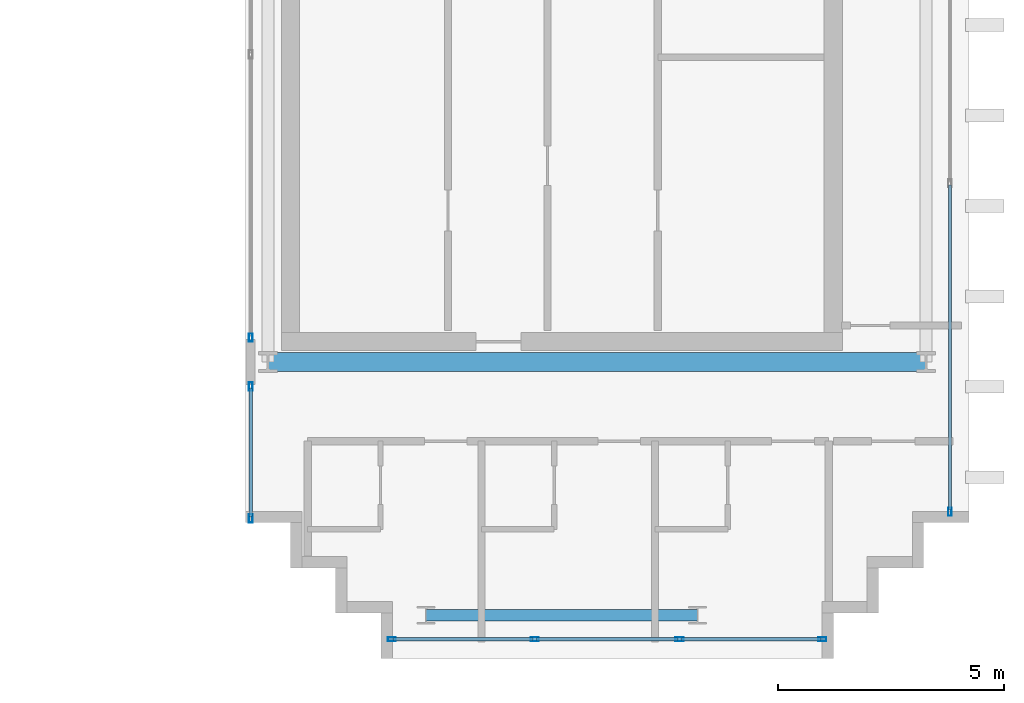
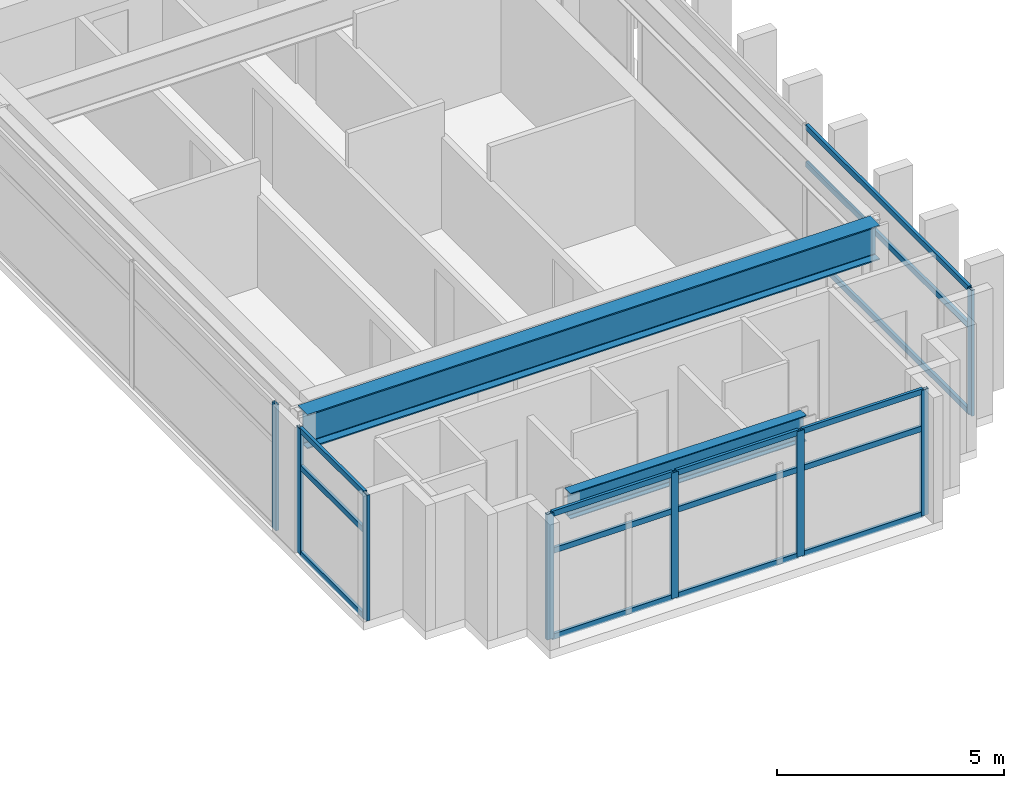
# One storey, part 8 of 25: 23 members, 2 beams, 4 elements without a shape of their own.
"""IFC4 building model written with IfcOpenShell, lengths in metres."""

from ifc_helpers import new_model, si_unit, direction, frame, origin, origin_2d, place, context, subcontext, project, spatial, hollow_rectangle, i_section, extrude, source, transform, mapped, material, layer, layer_set, material_profile, profile_set, type_object, element, aggregate, save


model = new_model("IFC4")

# Units and contexts
model_context = context("Model", 3, precision=1e-05, world=origin(), true_north=direction((0.0, 1.0)))
body_context = subcontext(model_context, "Body", "Model", "MODEL_VIEW")
ifc_project = project(units=[si_unit("LENGTHUNIT", "METRE"), si_unit("AREAUNIT", "SQUARE_METRE"), si_unit("VOLUMEUNIT", "CUBIC_METRE"), si_unit("PLANEANGLEUNIT", "RADIAN"), si_unit("MASSUNIT", "GRAM", prefix="KILO")], contexts=[model_context])

# Site, building, storey
site_placement = place(None, origin())
site = spatial("IfcSite", under=ifc_project, at=site_placement, CompositionType="ELEMENT")
building_placement = place(site_placement, origin())
building = spatial("IfcBuilding", under=site, at=building_placement, Name="Ocotamira Hotel", CompositionType="ELEMENT")
storey_placement = place(building_placement, frame((0.0, 0.0, 265.199951171875)))
storey = spatial("IfcBuildingStorey", under=building, at=storey_placement, Name="L67", CompositionType="ELEMENT", Elevation=265.199951171875)

# Beams
ifc_material_1 = material(Name="Steel ASTM A992 Grade 50", Category="steel")
ifc_material_profile_1 = material_profile(ifc_material_1, i_section(OverallWidth=0.41796875, OverallDepth=0.927001953125, WebThickness=0.019287109375, FlangeThickness=0.031982421875, FilletRadius=0.02392578125, at=origin_2d()), Name="W36X231")
ifc_profile_set_1 = profile_set([ifc_material_profile_1], Name="Steel ASTM A992 Grade 50")
beam_type_1 = type_object("IfcBeamType", Name="BM-GIRD-W36X231", PredefinedType="BEAM", material=ifc_profile_set_1)
shared_shape_1 = source(origin(), body_context, "Body", "SweptSolid", [
    extrude(i_section(OverallWidth=0.41796875, OverallDepth=0.927001953125, WebThickness=0.019287109375, FlangeThickness=0.031982421875, FilletRadius=0.02392578125, at=origin_2d()), origin(), (0.0, 0.0, 1.0), 14.550048828125),
])
beam_1_placement = place(storey_placement, frame((40.5, 14.550048828125, 2.91650390625), z_axis=(1.0, 0.0, 0.0), x_axis=(0.0, 1.0, 0.0)))
element("IfcBeam", 1, at=beam_1_placement, inside=storey, type_object=beam_type_1, Name="L67 Girder Y14.55 X40.5-55.05", PredefinedType="BEAM", context=body_context, shape_type="MappedRepresentation", body=[
    mapped(shared_shape_1, transform((0.0, 0.0, 0.0), scale=1.0)),
])
ifc_material_profile_2 = material_profile(ifc_material_1, i_section(OverallWidth=0.256103515625, OverallDepth=0.693115234375, WebThickness=0.014404296875, FlangeThickness=0.023681640625, FilletRadius=0.01611328125, at=origin_2d()), Name="W27X114")
ifc_profile_set_2 = profile_set([ifc_material_profile_2], Name="Steel ASTM A992 Grade 50")
beam_type_2 = type_object("IfcBeamType", Name="BM-PRIM-W27X114", PredefinedType="BEAM", material=ifc_profile_set_2)
shared_shape_2 = source(origin(), body_context, "Body", "SweptSolid", [
    extrude(i_section(OverallWidth=0.256103515625, OverallDepth=0.693115234375, WebThickness=0.014404296875, FlangeThickness=0.023681640625, FilletRadius=0.01611328125, at=origin_2d()), origin(), (0.0, 0.0, 1.0), 6.0),
])
beam_2_placement = place(storey_placement, frame((44.0, 8.949951171875, 3.033447265625), z_axis=(1.0, 0.0, 0.0), x_axis=(0.0, 1.0, 0.0)))
element("IfcBeam", 2, at=beam_2_placement, inside=storey, type_object=beam_type_2, Name="L67 Girder Y8.95 X44-50", PredefinedType="BEAM", context=body_context, shape_type="MappedRepresentation", body=[
    mapped(shared_shape_2, transform((0.0, 0.0, 0.0), scale=1.0)),
])

# Curtain wall, members
ifc_material_2 = material(Name="Anodised pale-metal aluminium and solar glass", Category="aluminium")
ifc_layer = layer(ifc_material_2, 0.2099609375)
ifc_layer_set = layer_set([ifc_layer], Name="Anodised pale-metal aluminium and solar glass")
curtain_wall_type = type_object("IfcCurtainWallType", Name="CW-SYS7-PEAK", PredefinedType="NOTDEFINED", material=ifc_layer_set)
curtain_wall_1_placement = place(storey_placement, origin())
curtain_wall_1 = element("IfcCurtainWall", 3, at=curtain_wall_1_placement, inside=storey, type_object=curtain_wall_type, Name="L67 Curtain Wall CW-7 CW-L67-ES", PredefinedType="NOTDEFINED")
ifc_material_3 = material(Name="Anodised pale-metal aluminium 6063-T6", Category="aluminium")
ifc_material_profile_3 = material_profile(ifc_material_3, hollow_rectangle(XDim=0.080078125, YDim=0.179931640625, WallThickness=0.006103515625, at=origin_2d()), Name="HSS180X80X6")
ifc_profile_set_3 = profile_set([ifc_material_profile_3], Name="Anodised pale-metal aluminium 6063-T6")
member_type_1 = type_object("IfcMemberType", Name="CWM-180X75", PredefinedType="MULLION", material=ifc_profile_set_3)
shared_shape_3 = source(origin(), body_context, "Body", "SweptSolid", [
    extrude(hollow_rectangle(XDim=0.080078125, YDim=0.179931640625, WallThickness=0.006103515625, at=origin_2d()), origin(), (0.0, 0.0, 1.0), 3.380126953125),
])
member_1_placement = place(storey_placement, frame((43.239990234375, 8.419921875, 0.0), z_axis=(0.0, 0.0, 1.0), x_axis=(0.0, 1.0, 0.0)))
member_1 = element("IfcMember", 4, at=member_1_placement, type_object=member_type_1, Name="CW-7 mullion 1", PredefinedType="MULLION", context=body_context, shape_type="MappedRepresentation", body=[
    mapped(shared_shape_3, transform((0.0, 0.0, 0.0), scale=1.0)),
])
member_2_placement = place(storey_placement, frame((46.39990234375, 8.419921875, 0.0), z_axis=(0.0, 0.0, 1.0), x_axis=(0.0, 1.0, 0.0)))
member_2 = element("IfcMember", 5, at=member_2_placement, type_object=member_type_1, Name="CW-7 mullion 2", PredefinedType="MULLION", context=body_context, shape_type="MappedRepresentation", body=[
    mapped(shared_shape_3, transform((0.0, 0.0, 0.0), scale=1.0)),
])
member_3_placement = place(storey_placement, frame((49.60009765625, 8.419921875, 0.0), z_axis=(0.0, 0.0, 1.0), x_axis=(0.0, 1.0, 0.0)))
member_3 = element("IfcMember", 6, at=member_3_placement, type_object=member_type_1, Name="CW-7 mullion 3", PredefinedType="MULLION", context=body_context, shape_type="MappedRepresentation", body=[
    mapped(shared_shape_3, transform((0.0, 0.0, 0.0), scale=1.0)),
])
member_4_placement = place(storey_placement, frame((52.760009765625, 8.419921875, 0.0), z_axis=(0.0, 0.0, 1.0), x_axis=(0.0, 1.0, 0.0)))
member_4 = element("IfcMember", 7, at=member_4_placement, type_object=member_type_1, Name="CW-7 mullion 4", PredefinedType="MULLION", context=body_context, shape_type="MappedRepresentation", body=[
    mapped(shared_shape_3, transform((0.0, 0.0, 0.0), scale=1.0)),
])

# Curtain wall, member
curtain_wall_2_placement = place(storey_placement, origin())
curtain_wall_2 = element("IfcCurtainWall", 8, at=curtain_wall_2_placement, inside=storey, type_object=curtain_wall_type, Name="L67 Curtain Wall CW-7 CW-L67-EO1", PredefinedType="NOTDEFINED")
member_5_placement = place(storey_placement, frame((55.580078125, 11.239990234375, 0.0), z_axis=(0.0, 0.0, 1.0), x_axis=(-1.0, 0.0, 0.0)))
member_5 = element("IfcMember", 9, at=member_5_placement, type_object=member_type_1, Name="CW-7 mullion 1", PredefinedType="MULLION", context=body_context, shape_type="MappedRepresentation", body=[
    mapped(shared_shape_3, transform((0.0, 0.0, 0.0), scale=1.0)),
])

# Curtain wall, members
curtain_wall_3_placement = place(storey_placement, origin())
curtain_wall_3 = element("IfcCurtainWall", 10, at=curtain_wall_3_placement, inside=storey, type_object=curtain_wall_type, Name="L67 Curtain Wall CW-7 CW-L67-EI1", PredefinedType="NOTDEFINED")
member_6_placement = place(storey_placement, frame((40.1201171875, 11.090087890625, 0.0), z_axis=(0.0, 0.0, 1.0), x_axis=(-1.0, 0.0, 0.0)))
member_6 = element("IfcMember", 11, at=member_6_placement, type_object=member_type_1, Name="CW-7 mullion 1", PredefinedType="MULLION", context=body_context, shape_type="MappedRepresentation", body=[
    mapped(shared_shape_3, transform((0.0, 0.0, 0.0), scale=1.0)),
])
member_7_placement = place(storey_placement, frame((40.1201171875, 14.010009765625, 0.0), z_axis=(0.0, 0.0, 1.0), x_axis=(-1.0, 0.0, 0.0)))
member_7 = element("IfcMember", 12, at=member_7_placement, type_object=member_type_1, Name="CW-7 mullion 2", PredefinedType="MULLION", context=body_context, shape_type="MappedRepresentation", body=[
    mapped(shared_shape_3, transform((0.0, 0.0, 0.0), scale=1.0)),
])

# Curtain wall, member
curtain_wall_4_placement = place(storey_placement, origin())
curtain_wall_4 = element("IfcCurtainWall", 13, at=curtain_wall_4_placement, inside=storey, type_object=curtain_wall_type, Name="L67 Curtain Wall CW-7 CW-L67-EI2", PredefinedType="NOTDEFINED")
member_8_placement = place(storey_placement, frame((40.1201171875, 15.090087890625, 0.0), z_axis=(0.0, 0.0, 1.0), x_axis=(-1.0, 0.0, 0.0)))
member_8 = element("IfcMember", 14, at=member_8_placement, type_object=member_type_1, Name="CW-7 mullion 1", PredefinedType="MULLION", context=body_context, shape_type="MappedRepresentation", body=[
    mapped(shared_shape_3, transform((0.0, 0.0, 0.0), scale=1.0)),
])
aggregate(curtain_wall_4, [member_8])

# Member
ifc_material_profile_4 = material_profile(ifc_material_3, hollow_rectangle(XDim=0.074951171875, YDim=0.14990234375, WallThickness=0.006103515625, at=origin_2d()), Name="HSS150X75X6")
ifc_profile_set_4 = profile_set([ifc_material_profile_4], Name="Anodised pale-metal aluminium 6063-T6")
member_type_2 = type_object("IfcMemberType", Name="CWT-150X75", PredefinedType="USERDEFINED", material=ifc_profile_set_4)
shared_shape_4 = source(origin(), body_context, "Body", "SweptSolid", [
    extrude(hollow_rectangle(XDim=0.074951171875, YDim=0.14990234375, WallThickness=0.006103515625, at=origin_2d()), origin(), (0.0, 0.0, 1.0), 3.080078125),
])
member_9_placement = place(storey_placement, frame((43.280029296875, 8.419921875, 0.03759765625), z_axis=(1.0, 0.0, 0.0), x_axis=(0.0, 1.0, 0.0)))
member_9 = element("IfcMember", 15, at=member_9_placement, type_object=member_type_2, Name="CW-7 transom 1.1", ObjectType="TRANSOM", PredefinedType="USERDEFINED", context=body_context, shape_type="MappedRepresentation", body=[
    mapped(shared_shape_4, transform((0.0, 0.0, 0.0), scale=1.0)),
])

member_10_placement = place(storey_placement, frame((43.280029296875, 8.419921875, 2.35009765625), z_axis=(1.0, 0.0, 0.0), x_axis=(0.0, 1.0, 0.0)))
member_10 = element("IfcMember", 16, at=member_10_placement, type_object=member_type_2, Name="CW-7 transom 1.2", ObjectType="TRANSOM", PredefinedType="USERDEFINED", context=body_context, shape_type="MappedRepresentation", body=[
    mapped(shared_shape_4, transform((0.0, 0.0, 0.0), scale=1.0)),
])

member_11_placement = place(storey_placement, frame((43.280029296875, 8.419921875, 3.342529296875), z_axis=(1.0, 0.0, 0.0), x_axis=(0.0, 1.0, 0.0)))
member_11 = element("IfcMember", 17, at=member_11_placement, type_object=member_type_2, Name="CW-7 transom 1.3", ObjectType="TRANSOM", PredefinedType="USERDEFINED", context=body_context, shape_type="MappedRepresentation", body=[
    mapped(shared_shape_4, transform((0.0, 0.0, 0.0), scale=1.0)),
])

member_12_placement = place(storey_placement, frame((49.639892578125, 8.419921875, 0.03759765625), z_axis=(1.0, 0.0, 0.0), x_axis=(0.0, 1.0, 0.0)))
member_12 = element("IfcMember", 18, at=member_12_placement, type_object=member_type_2, Name="CW-7 transom 3.1", ObjectType="TRANSOM", PredefinedType="USERDEFINED", context=body_context, shape_type="MappedRepresentation", body=[
    mapped(shared_shape_4, transform((0.0, 0.0, 0.0), scale=1.0)),
])

member_13_placement = place(storey_placement, frame((49.639892578125, 8.419921875, 2.35009765625), z_axis=(1.0, 0.0, 0.0), x_axis=(0.0, 1.0, 0.0)))
member_13 = element("IfcMember", 19, at=member_13_placement, type_object=member_type_2, Name="CW-7 transom 3.2", ObjectType="TRANSOM", PredefinedType="USERDEFINED", context=body_context, shape_type="MappedRepresentation", body=[
    mapped(shared_shape_4, transform((0.0, 0.0, 0.0), scale=1.0)),
])

member_14_placement = place(storey_placement, frame((49.639892578125, 8.419921875, 3.342529296875), z_axis=(1.0, 0.0, 0.0), x_axis=(0.0, 1.0, 0.0)))
member_14 = element("IfcMember", 20, at=member_14_placement, type_object=member_type_2, Name="CW-7 transom 3.3", ObjectType="TRANSOM", PredefinedType="USERDEFINED", context=body_context, shape_type="MappedRepresentation", body=[
    mapped(shared_shape_4, transform((0.0, 0.0, 0.0), scale=1.0)),
])

shared_shape_5 = source(origin(), body_context, "Body", "SweptSolid", [
    extrude(hollow_rectangle(XDim=0.074951171875, YDim=0.14990234375, WallThickness=0.006103515625, at=origin_2d()), origin(), (0.0, 0.0, 1.0), 3.1201171875),
])
member_15_placement = place(storey_placement, frame((46.43994140625, 8.419921875, 0.03759765625), z_axis=(1.0, 0.0, 0.0), x_axis=(0.0, 1.0, 0.0)))
member_15 = element("IfcMember", 21, at=member_15_placement, type_object=member_type_2, Name="CW-7 transom 2.1", ObjectType="TRANSOM", PredefinedType="USERDEFINED", context=body_context, shape_type="MappedRepresentation", body=[
    mapped(shared_shape_5, transform((0.0, 0.0, 0.0), scale=1.0)),
])

member_16_placement = place(storey_placement, frame((46.43994140625, 8.419921875, 2.35009765625), z_axis=(1.0, 0.0, 0.0), x_axis=(0.0, 1.0, 0.0)))
member_16 = element("IfcMember", 22, at=member_16_placement, type_object=member_type_2, Name="CW-7 transom 2.2", ObjectType="TRANSOM", PredefinedType="USERDEFINED", context=body_context, shape_type="MappedRepresentation", body=[
    mapped(shared_shape_5, transform((0.0, 0.0, 0.0), scale=1.0)),
])

member_17_placement = place(storey_placement, frame((46.43994140625, 8.419921875, 3.342529296875), z_axis=(1.0, 0.0, 0.0), x_axis=(0.0, 1.0, 0.0)))
member_17 = element("IfcMember", 23, at=member_17_placement, type_object=member_type_2, Name="CW-7 transom 2.3", ObjectType="TRANSOM", PredefinedType="USERDEFINED", context=body_context, shape_type="MappedRepresentation", body=[
    mapped(shared_shape_5, transform((0.0, 0.0, 0.0), scale=1.0)),
])

aggregate(curtain_wall_1, [member_1, member_2, member_3, member_4, member_9, member_10, member_11, member_15, member_16, member_17, member_12, member_13, member_14])

shared_shape_6 = source(origin(), body_context, "Body", "SweptSolid", [
    extrude(hollow_rectangle(XDim=0.074951171875, YDim=0.14990234375, WallThickness=0.006103515625, at=origin_2d()), origin(), (0.0, 0.0, 1.0), 7.179931640625),
])
member_18_placement = place(storey_placement, frame((55.580078125, 11.280029296875, 0.03759765625), z_axis=(0.0, 1.0, 0.0), x_axis=(-1.0, 0.0, 0.0)))
member_18 = element("IfcMember", 24, at=member_18_placement, type_object=member_type_2, Name="CW-7 transom 1.1", ObjectType="TRANSOM", PredefinedType="USERDEFINED", context=body_context, shape_type="MappedRepresentation", body=[
    mapped(shared_shape_6, transform((0.0, 0.0, 0.0), scale=1.0)),
])

member_19_placement = place(storey_placement, frame((55.580078125, 11.280029296875, 2.35009765625), z_axis=(0.0, 1.0, 0.0), x_axis=(-1.0, 0.0, 0.0)))
member_19 = element("IfcMember", 25, at=member_19_placement, type_object=member_type_2, Name="CW-7 transom 1.2", ObjectType="TRANSOM", PredefinedType="USERDEFINED", context=body_context, shape_type="MappedRepresentation", body=[
    mapped(shared_shape_6, transform((0.0, 0.0, 0.0), scale=1.0)),
])

member_20_placement = place(storey_placement, frame((55.580078125, 11.280029296875, 3.342529296875), z_axis=(0.0, 1.0, 0.0), x_axis=(-1.0, 0.0, 0.0)))
member_20 = element("IfcMember", 26, at=member_20_placement, type_object=member_type_2, Name="CW-7 transom 1.3", ObjectType="TRANSOM", PredefinedType="USERDEFINED", context=body_context, shape_type="MappedRepresentation", body=[
    mapped(shared_shape_6, transform((0.0, 0.0, 0.0), scale=1.0)),
])

aggregate(curtain_wall_2, [member_5, member_18, member_19, member_20])

shared_shape_7 = source(origin(), body_context, "Body", "SweptSolid", [
    extrude(hollow_rectangle(XDim=0.074951171875, YDim=0.14990234375, WallThickness=0.006103515625, at=origin_2d()), origin(), (0.0, 0.0, 1.0), 2.840087890625),
])
member_21_placement = place(storey_placement, frame((40.1201171875, 11.1298828125, 0.03759765625), z_axis=(0.0, 1.0, 0.0), x_axis=(-1.0, 0.0, 0.0)))
member_21 = element("IfcMember", 27, at=member_21_placement, type_object=member_type_2, Name="CW-7 transom 1.1", ObjectType="TRANSOM", PredefinedType="USERDEFINED", context=body_context, shape_type="MappedRepresentation", body=[
    mapped(shared_shape_7, transform((0.0, 0.0, 0.0), scale=1.0)),
])

member_22_placement = place(storey_placement, frame((40.1201171875, 11.1298828125, 2.35009765625), z_axis=(0.0, 1.0, 0.0), x_axis=(-1.0, 0.0, 0.0)))
member_22 = element("IfcMember", 28, at=member_22_placement, type_object=member_type_2, Name="CW-7 transom 1.2", ObjectType="TRANSOM", PredefinedType="USERDEFINED", context=body_context, shape_type="MappedRepresentation", body=[
    mapped(shared_shape_7, transform((0.0, 0.0, 0.0), scale=1.0)),
])

member_23_placement = place(storey_placement, frame((40.1201171875, 11.1298828125, 3.342529296875), z_axis=(0.0, 1.0, 0.0), x_axis=(-1.0, 0.0, 0.0)))
member_23 = element("IfcMember", 29, at=member_23_placement, type_object=member_type_2, Name="CW-7 transom 1.3", ObjectType="TRANSOM", PredefinedType="USERDEFINED", context=body_context, shape_type="MappedRepresentation", body=[
    mapped(shared_shape_7, transform((0.0, 0.0, 0.0), scale=1.0)),
])

aggregate(curtain_wall_3, [member_6, member_7, member_21, member_22, member_23])

save(model, "model.ifc")
